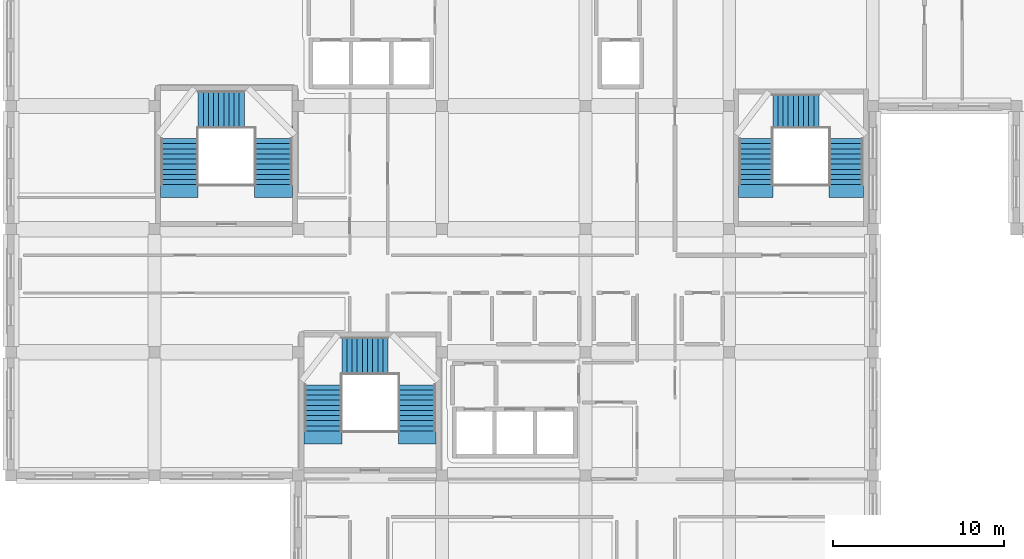
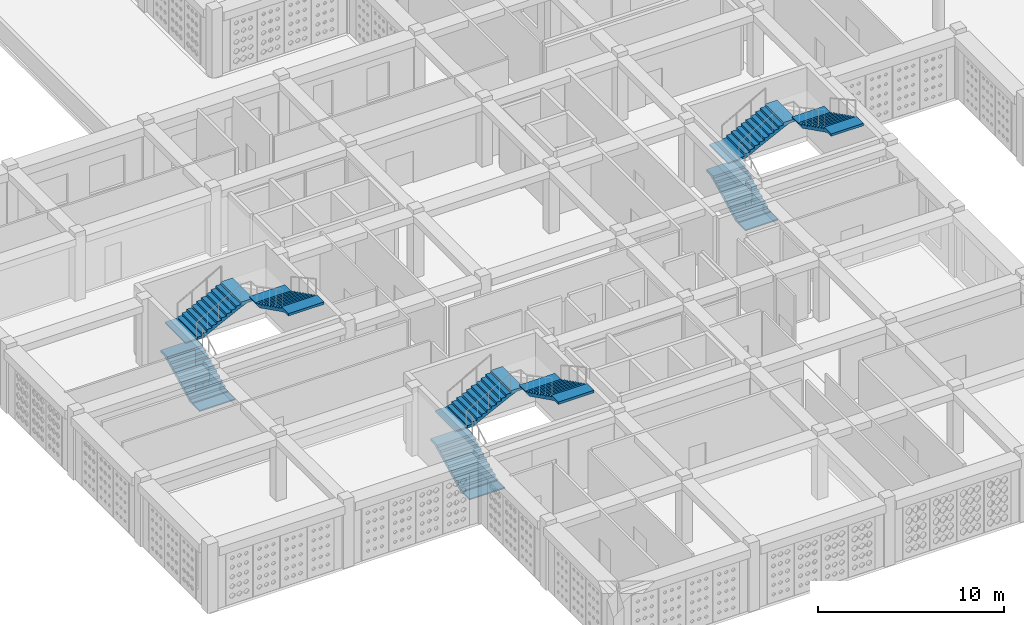
# One storey, part 16 of 47: 9 stair flights, 3 elements without a shape of their own.
"""IFC4 building model written with IfcOpenShell, lengths in metres."""

from ifc_helpers import new_model, si_unit, derived_unit, direction, frame, origin, place, context, subcontext, project, spatial, polyline, outline, extrude, material, type_object, element, aggregate, save


model = new_model("IFC4")

# Units and contexts
model_context = context("Model", 3, precision=1e-05, world=origin(), true_north=direction((0.0, 1.0)))
body_context = subcontext(model_context, "Body", "Model", "MODEL_VIEW")
ifc_project = project(units=[si_unit("LENGTHUNIT", "METRE"), si_unit("AREAUNIT", "SQUARE_METRE"), si_unit("VOLUMEUNIT", "CUBIC_METRE"), si_unit("PLANEANGLEUNIT", "RADIAN"), si_unit("MASSUNIT", "GRAM", prefix="KILO"), derived_unit("THERMALTRANSMITTANCEUNIT", [(si_unit("POWERUNIT", "WATT"), 1), (si_unit("LENGTHUNIT", "METRE"), -2), (si_unit("THERMODYNAMICTEMPERATUREUNIT", "KELVIN"), -1)])], contexts=[model_context])

# Site, building, storey
site_placement = place(None, origin())
site = spatial("IfcSite", under=ifc_project, at=site_placement, CompositionType="ELEMENT")
building_placement = place(site_placement, origin())
building = spatial("IfcBuilding", under=site, at=building_placement, Name="Veybourne Emporium", CompositionType="ELEMENT")
storey_placement = place(building_placement, frame((0.0, 0.0, 23.39990234375)))
storey = spatial("IfcBuildingStorey", under=building, at=storey_placement, Name="L05", CompositionType="ELEMENT", Elevation=23.39990234375)

# Stair, stair flights
ifc_material = material(Name="Concrete C32/40", Category="concrete")
stair_type_1 = type_object("IfcStairType", Name="Stair_ST-05-R30", PredefinedType="TWO_QUARTER_TURN_STAIR", material=ifc_material)
stair_1_placement = place(storey_placement, origin())
stair_1 = element("IfcStair", 1, at=stair_1_placement, inside=storey, type_object=stair_type_1, Name="L05 stair ST-05", PredefinedType="TWO_QUARTER_TURN_STAIR")
stair_flight_type_1 = type_object("IfcStairFlightType", Name="Flight_FL-2000-R10", PredefinedType="STRAIGHT", material=ifc_material)
stair_flight_1_placement = place(storey_placement, frame((43.550048828125, 31.39990234375, 0.0), z_axis=(0.0, 0.0, 1.0), x_axis=(0.0, 1.0, 0.0)))
stair_flight_1 = element("IfcStairFlight", 2, at=stair_flight_1_placement, type_object=stair_flight_type_1, Name="ST-05-R30 flight 1", NumberOfRisers=10, NumberOfTreads=9, PredefinedType="STRAIGHT", RiserHeight=0.15, TreadLength=0.3, context=body_context, shape_type="SweptSolid", body=[
    extrude(outline(polyline([(-0.75, 0.0), (-0.75, 0.080078125), (-0.375, 0.080078125), (0.0, 0.080078125), (0.0, 0.14990234375), (0.300048828125, 0.14990234375), (0.300048828125, 0.300048828125), (0.60009765625, 0.300048828125), (0.60009765625, 0.449951171875), (0.89990234375, 0.449951171875), (0.89990234375, 0.60009765625), (1.199951171875, 0.60009765625), (1.199951171875, 0.75), (1.5, 0.75), (1.5, 0.89990234375), (1.800048828125, 0.89990234375), (1.800048828125, 1.050048828125), (2.10009765625, 1.050048828125), (2.10009765625, 1.199951171875), (2.39990234375, 1.199951171875), (2.39990234375, 1.35009765625), (2.699951171875, 1.35009765625), (2.699951171875, 1.5), (3.074951171875, 1.5), (3.449951171875, 1.5), (3.449951171875, 1.340087890625), (3.074951171875, 1.340087890625), (2.699951171875, 1.171142578125), (0.357666015625, 0.0), (-0.75, 0.0)])), frame((0.0, 1.0, 0.0), z_axis=(0.0, -1.0, 0.0), x_axis=(1.0, 0.0, 0.0)), (0.0, 0.0, 1.0), 2.0),
])
stair_flight_2_placement = place(storey_placement, frame((44.550048828125, 35.699951171875, 1.5), z_axis=(0.0, 0.0, 1.0), x_axis=(1.0, 0.0, 0.0)))
stair_flight_2 = element("IfcStairFlight", 3, at=stair_flight_2_placement, type_object=stair_flight_type_1, Name="ST-05-R30 flight 2", NumberOfRisers=10, NumberOfTreads=9, PredefinedType="STRAIGHT", RiserHeight=0.15, TreadLength=0.3, context=body_context, shape_type="SweptSolid", body=[
    extrude(outline(polyline([(-0.75, 0.0), (-0.75, 0.080078125), (-0.375, 0.080078125), (0.0, 0.080078125), (0.0, 0.14990234375), (0.300048828125, 0.14990234375), (0.300048828125, 0.300048828125), (0.60009765625, 0.300048828125), (0.60009765625, 0.449951171875), (0.89990234375, 0.449951171875), (0.89990234375, 0.60009765625), (1.199951171875, 0.60009765625), (1.199951171875, 0.75), (1.5, 0.75), (1.5, 0.89990234375), (1.800048828125, 0.89990234375), (1.800048828125, 1.050048828125), (2.10009765625, 1.050048828125), (2.10009765625, 1.199951171875), (2.39990234375, 1.199951171875), (2.39990234375, 1.35009765625), (2.699951171875, 1.35009765625), (2.699951171875, 1.5), (3.074951171875, 1.5), (3.449951171875, 1.5), (3.449951171875, 1.340087890625), (3.074951171875, 1.340087890625), (2.699951171875, 1.171142578125), (0.357666015625, 0.0), (-0.75, 0.0)])), frame((0.0, 1.0, 0.0), z_axis=(0.0, -1.0, 0.0), x_axis=(1.0, 0.0, 0.0)), (0.0, 0.0, 1.0), 2.0),
])
stair_flight_3_placement = place(storey_placement, frame((48.85009765625, 34.10009765625, 3.0), z_axis=(0.0, 0.0, 1.0), x_axis=(0.0, -1.0, 0.0)))
stair_flight_3 = element("IfcStairFlight", 4, at=stair_flight_3_placement, type_object=stair_flight_type_1, Name="ST-05-R30 flight 3", NumberOfRisers=10, NumberOfTreads=9, PredefinedType="STRAIGHT", RiserHeight=0.15, TreadLength=0.3, context=body_context, shape_type="SweptSolid", body=[
    extrude(outline(polyline([(-0.75, 0.0), (-0.75, 0.080078125), (-0.375, 0.080078125), (0.0, 0.080078125), (0.0, 0.14990234375), (0.300048828125, 0.14990234375), (0.300048828125, 0.300048828125), (0.60009765625, 0.300048828125), (0.60009765625, 0.449951171875), (0.89990234375, 0.449951171875), (0.89990234375, 0.60009765625), (1.199951171875, 0.60009765625), (1.199951171875, 0.75), (1.5, 0.75), (1.5, 0.89990234375), (1.800048828125, 0.89990234375), (1.800048828125, 1.050048828125), (2.10009765625, 1.050048828125), (2.10009765625, 1.199951171875), (2.39990234375, 1.199951171875), (2.39990234375, 1.35009765625), (2.699951171875, 1.35009765625), (2.699951171875, 1.5), (3.074951171875, 1.5), (3.449951171875, 1.5), (3.449951171875, 1.340087890625), (3.074951171875, 1.340087890625), (2.699951171875, 1.171142578125), (0.357666015625, 0.0), (-0.75, 0.0)])), frame((0.0, 1.0, 0.0), z_axis=(0.0, -1.0, 0.0), x_axis=(1.0, 0.0, 0.0)), (0.0, 0.0, 1.0), 2.0),
])
aggregate(stair_1, [stair_flight_1, stair_flight_2, stair_flight_3])

stair_type_2 = type_object("IfcStairType", Name="Stair_ST-01-R30", PredefinedType="TWO_QUARTER_TURN_STAIR", material=ifc_material)
stair_2_placement = place(storey_placement, origin())
stair_2 = element("IfcStair", 5, at=stair_2_placement, inside=storey, type_object=stair_type_2, Name="L05 stair ST-01", PredefinedType="TWO_QUARTER_TURN_STAIR")
stair_flight_type_2 = type_object("IfcStairFlightType", Name="Flight_FL-2200-R10", PredefinedType="STRAIGHT", material=ifc_material)
stair_flight_4_placement = place(storey_placement, frame((18.25, 17.0, 0.0), z_axis=(0.0, 0.0, 1.0), x_axis=(0.0, 1.0, 0.0)))
stair_flight_4 = element("IfcStairFlight", 6, at=stair_flight_4_placement, type_object=stair_flight_type_2, Name="ST-01-R30 flight 1", NumberOfRisers=10, NumberOfTreads=9, PredefinedType="STRAIGHT", RiserHeight=0.15, TreadLength=0.3, context=body_context, shape_type="SweptSolid", body=[
    extrude(outline(polyline([(-0.75, 0.0), (-0.75, 0.080078125), (-0.375, 0.080078125), (0.0, 0.080078125), (0.0, 0.14990234375), (0.300048828125, 0.14990234375), (0.300048828125, 0.300048828125), (0.60009765625, 0.300048828125), (0.60009765625, 0.449951171875), (0.89990234375, 0.449951171875), (0.89990234375, 0.60009765625), (1.199951171875, 0.60009765625), (1.199951171875, 0.75), (1.5, 0.75), (1.5, 0.89990234375), (1.800048828125, 0.89990234375), (1.800048828125, 1.050048828125), (2.10009765625, 1.050048828125), (2.10009765625, 1.199951171875), (2.39990234375, 1.199951171875), (2.39990234375, 1.35009765625), (2.699951171875, 1.35009765625), (2.699951171875, 1.5), (3.074951171875, 1.5), (3.449951171875, 1.5), (3.449951171875, 1.340087890625), (3.074951171875, 1.340087890625), (2.699951171875, 1.171142578125), (0.357666015625, 0.0), (-0.75, 0.0)])), frame((0.0, 1.10009765625, 0.0), z_axis=(0.0, -1.0, 0.0), x_axis=(1.0, 0.0, 0.0)), (0.0, 0.0, 1.0), 2.199951171875),
])
stair_flight_5_placement = place(storey_placement, frame((19.35009765625, 21.39990234375, 1.5), z_axis=(0.0, 0.0, 1.0), x_axis=(1.0, 0.0, 0.0)))
stair_flight_5 = element("IfcStairFlight", 7, at=stair_flight_5_placement, type_object=stair_flight_type_2, Name="ST-01-R30 flight 2", NumberOfRisers=10, NumberOfTreads=9, PredefinedType="STRAIGHT", RiserHeight=0.15, TreadLength=0.3, context=body_context, shape_type="SweptSolid", body=[
    extrude(outline(polyline([(-0.75, 0.0), (-0.75, 0.080078125), (-0.375, 0.080078125), (0.0, 0.080078125), (0.0, 0.14990234375), (0.300048828125, 0.14990234375), (0.300048828125, 0.300048828125), (0.60009765625, 0.300048828125), (0.60009765625, 0.449951171875), (0.89990234375, 0.449951171875), (0.89990234375, 0.60009765625), (1.199951171875, 0.60009765625), (1.199951171875, 0.75), (1.5, 0.75), (1.5, 0.89990234375), (1.800048828125, 0.89990234375), (1.800048828125, 1.050048828125), (2.10009765625, 1.050048828125), (2.10009765625, 1.199951171875), (2.39990234375, 1.199951171875), (2.39990234375, 1.35009765625), (2.699951171875, 1.35009765625), (2.699951171875, 1.5), (3.074951171875, 1.5), (3.449951171875, 1.5), (3.449951171875, 1.340087890625), (3.074951171875, 1.340087890625), (2.699951171875, 1.171142578125), (0.357666015625, 0.0), (-0.75, 0.0)])), frame((0.0, 1.10009765625, 0.0), z_axis=(0.0, -1.0, 0.0), x_axis=(1.0, 0.0, 0.0)), (0.0, 0.0, 1.0), 2.199951171875),
])
stair_flight_6_placement = place(storey_placement, frame((23.75, 19.699951171875, 3.0), z_axis=(0.0, 0.0, 1.0), x_axis=(0.0, -1.0, 0.0)))
stair_flight_6 = element("IfcStairFlight", 8, at=stair_flight_6_placement, type_object=stair_flight_type_2, Name="ST-01-R30 flight 3", NumberOfRisers=10, NumberOfTreads=9, PredefinedType="STRAIGHT", RiserHeight=0.15, TreadLength=0.3, context=body_context, shape_type="SweptSolid", body=[
    extrude(outline(polyline([(-0.75, 0.0), (-0.75, 0.080078125), (-0.375, 0.080078125), (0.0, 0.080078125), (0.0, 0.14990234375), (0.300048828125, 0.14990234375), (0.300048828125, 0.300048828125), (0.60009765625, 0.300048828125), (0.60009765625, 0.449951171875), (0.89990234375, 0.449951171875), (0.89990234375, 0.60009765625), (1.199951171875, 0.60009765625), (1.199951171875, 0.75), (1.5, 0.75), (1.5, 0.89990234375), (1.800048828125, 0.89990234375), (1.800048828125, 1.050048828125), (2.10009765625, 1.050048828125), (2.10009765625, 1.199951171875), (2.39990234375, 1.199951171875), (2.39990234375, 1.35009765625), (2.699951171875, 1.35009765625), (2.699951171875, 1.5), (3.074951171875, 1.5), (3.449951171875, 1.5), (3.449951171875, 1.340087890625), (3.074951171875, 1.340087890625), (2.699951171875, 1.171142578125), (0.357666015625, 0.0), (-0.75, 0.0)])), frame((0.0, 1.10009765625, 0.0), z_axis=(0.0, -1.0, 0.0), x_axis=(1.0, 0.0, 0.0)), (0.0, 0.0, 1.0), 2.199951171875),
])
aggregate(stair_2, [stair_flight_4, stair_flight_5, stair_flight_6])

stair_type_3 = type_object("IfcStairType", Name="Stair_ST-02-R30", PredefinedType="TWO_QUARTER_TURN_STAIR", material=ifc_material)
stair_3_placement = place(storey_placement, origin())
stair_3 = element("IfcStair", 9, at=stair_3_placement, inside=storey, type_object=stair_type_3, Name="L05 stair ST-02", PredefinedType="TWO_QUARTER_TURN_STAIR")
stair_flight_7_placement = place(storey_placement, frame((9.85009765625, 31.39990234375, 0.0), z_axis=(0.0, 0.0, 1.0), x_axis=(0.0, 1.0, 0.0)))
stair_flight_7 = element("IfcStairFlight", 10, at=stair_flight_7_placement, type_object=stair_flight_type_2, Name="ST-02-R30 flight 1", NumberOfRisers=10, NumberOfTreads=9, PredefinedType="STRAIGHT", RiserHeight=0.15, TreadLength=0.3, context=body_context, shape_type="SweptSolid", body=[
    extrude(outline(polyline([(-0.75, 0.0), (-0.75, 0.080078125), (-0.375, 0.080078125), (0.0, 0.080078125), (0.0, 0.14990234375), (0.300048828125, 0.14990234375), (0.300048828125, 0.300048828125), (0.60009765625, 0.300048828125), (0.60009765625, 0.449951171875), (0.89990234375, 0.449951171875), (0.89990234375, 0.60009765625), (1.199951171875, 0.60009765625), (1.199951171875, 0.75), (1.5, 0.75), (1.5, 0.89990234375), (1.800048828125, 0.89990234375), (1.800048828125, 1.050048828125), (2.10009765625, 1.050048828125), (2.10009765625, 1.199951171875), (2.39990234375, 1.199951171875), (2.39990234375, 1.35009765625), (2.699951171875, 1.35009765625), (2.699951171875, 1.5), (3.074951171875, 1.5), (3.449951171875, 1.5), (3.449951171875, 1.340087890625), (3.074951171875, 1.340087890625), (2.699951171875, 1.171142578125), (0.357666015625, 0.0), (-0.75, 0.0)])), frame((0.0, 1.10009765625, 0.0), z_axis=(0.0, -1.0, 0.0), x_axis=(1.0, 0.0, 0.0)), (0.0, 0.0, 1.0), 2.199951171875),
])
stair_flight_8_placement = place(storey_placement, frame((10.949951171875, 35.800048828125, 1.5), z_axis=(0.0, 0.0, 1.0), x_axis=(1.0, 0.0, 0.0)))
stair_flight_8 = element("IfcStairFlight", 11, at=stair_flight_8_placement, type_object=stair_flight_type_2, Name="ST-02-R30 flight 2", NumberOfRisers=10, NumberOfTreads=9, PredefinedType="STRAIGHT", RiserHeight=0.15, TreadLength=0.3, context=body_context, shape_type="SweptSolid", body=[
    extrude(outline(polyline([(-0.75, 0.0), (-0.75, 0.080078125), (-0.375, 0.080078125), (0.0, 0.080078125), (0.0, 0.14990234375), (0.300048828125, 0.14990234375), (0.300048828125, 0.300048828125), (0.60009765625, 0.300048828125), (0.60009765625, 0.449951171875), (0.89990234375, 0.449951171875), (0.89990234375, 0.60009765625), (1.199951171875, 0.60009765625), (1.199951171875, 0.75), (1.5, 0.75), (1.5, 0.89990234375), (1.800048828125, 0.89990234375), (1.800048828125, 1.050048828125), (2.10009765625, 1.050048828125), (2.10009765625, 1.199951171875), (2.39990234375, 1.199951171875), (2.39990234375, 1.35009765625), (2.699951171875, 1.35009765625), (2.699951171875, 1.5), (3.074951171875, 1.5), (3.449951171875, 1.5), (3.449951171875, 1.340087890625), (3.074951171875, 1.340087890625), (2.699951171875, 1.171142578125), (0.357666015625, 0.0), (-0.75, 0.0)])), frame((0.0, 1.10009765625, 0.0), z_axis=(0.0, -1.0, 0.0), x_axis=(1.0, 0.0, 0.0)), (0.0, 0.0, 1.0), 2.199951171875),
])
stair_flight_9_placement = place(storey_placement, frame((15.35009765625, 34.10009765625, 3.0), z_axis=(0.0, 0.0, 1.0), x_axis=(0.0, -1.0, 0.0)))
stair_flight_9 = element("IfcStairFlight", 12, at=stair_flight_9_placement, type_object=stair_flight_type_2, Name="ST-02-R30 flight 3", NumberOfRisers=10, NumberOfTreads=9, PredefinedType="STRAIGHT", RiserHeight=0.15, TreadLength=0.3, context=body_context, shape_type="SweptSolid", body=[
    extrude(outline(polyline([(-0.75, 0.0), (-0.75, 0.080078125), (-0.375, 0.080078125), (0.0, 0.080078125), (0.0, 0.14990234375), (0.300048828125, 0.14990234375), (0.300048828125, 0.300048828125), (0.60009765625, 0.300048828125), (0.60009765625, 0.449951171875), (0.89990234375, 0.449951171875), (0.89990234375, 0.60009765625), (1.199951171875, 0.60009765625), (1.199951171875, 0.75), (1.5, 0.75), (1.5, 0.89990234375), (1.800048828125, 0.89990234375), (1.800048828125, 1.050048828125), (2.10009765625, 1.050048828125), (2.10009765625, 1.199951171875), (2.39990234375, 1.199951171875), (2.39990234375, 1.35009765625), (2.699951171875, 1.35009765625), (2.699951171875, 1.5), (3.074951171875, 1.5), (3.449951171875, 1.5), (3.449951171875, 1.340087890625), (3.074951171875, 1.340087890625), (2.699951171875, 1.171142578125), (0.357666015625, 0.0), (-0.75, 0.0)])), frame((0.0, 1.10009765625, 0.0), z_axis=(0.0, -1.0, 0.0), x_axis=(1.0, 0.0, 0.0)), (0.0, 0.0, 1.0), 2.199951171875),
])
aggregate(stair_3, [stair_flight_7, stair_flight_8, stair_flight_9])

save(model, "model.ifc")
